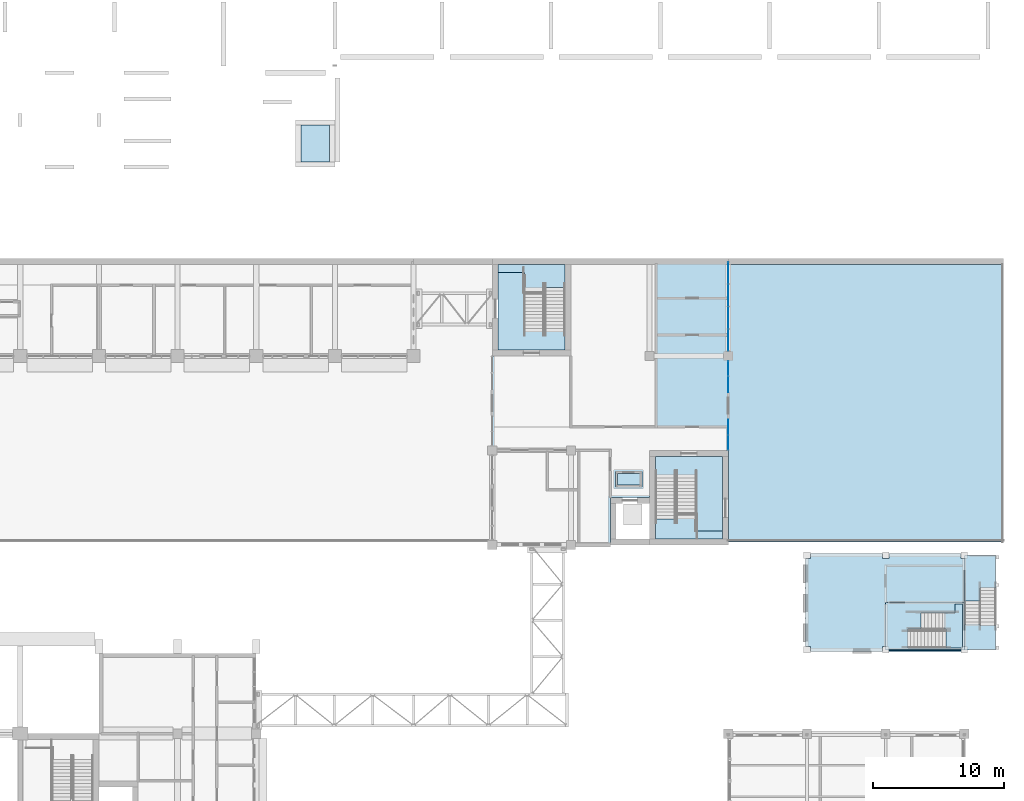
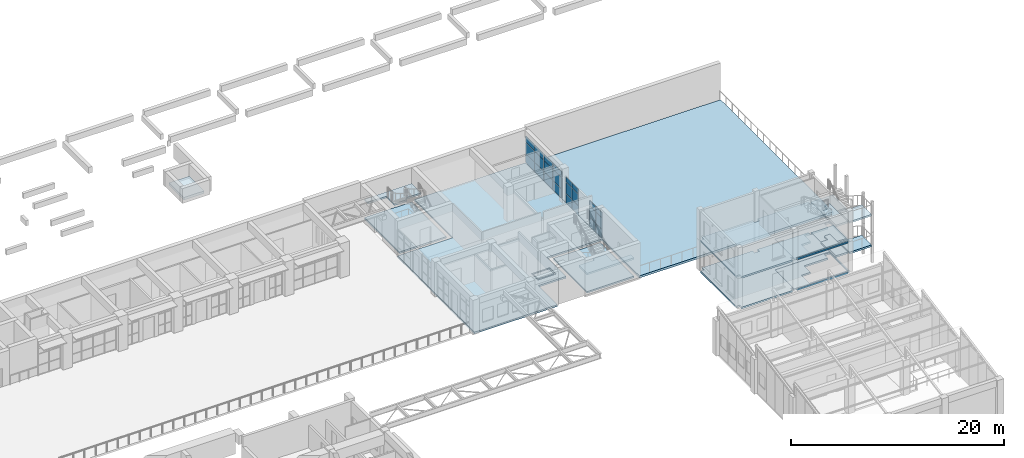
# One storey, part 54 of 103: 24 plates, 20 slabs, 9 elements without a shape of their own.
"""IFC4 building model written with IfcOpenShell, lengths in metres."""

from ifc_helpers import new_model, si_unit, direction, frame, origin, origin_2d, place, context, subcontext, project, spatial, polyline, rectangle, outline, extrude, material, layer, layer_set, type_object, element, aggregate, save


model = new_model("IFC4")

# Units and contexts
model_context = context("Model", 3, precision=1e-05, world=origin(), true_north=direction((0.0, 1.0)))
body_context = subcontext(model_context, "Body", "Model", "MODEL_VIEW")
ifc_project = project(units=[si_unit("LENGTHUNIT", "METRE"), si_unit("AREAUNIT", "SQUARE_METRE"), si_unit("VOLUMEUNIT", "CUBIC_METRE"), si_unit("PLANEANGLEUNIT", "RADIAN"), si_unit("MASSUNIT", "GRAM", prefix="KILO")], contexts=[model_context])

# Site, building, storey
site_placement = place(None, origin())
site = spatial("IfcSite", under=ifc_project, at=site_placement, CompositionType="ELEMENT")
building_placement = place(site_placement, origin())
building = spatial("IfcBuilding", under=site, at=building_placement, Name="Laocheng Heights Fire and Rescue Headquarters", CompositionType="ELEMENT")
storey_placement = place(building_placement, frame((0.0, 0.0, 4.199951171875)))
storey = spatial("IfcBuildingStorey", under=building, at=storey_placement, Name="L01", CompositionType="ELEMENT", Elevation=4.199951171875)

# Curtain wall, plates
ifc_material_1 = material(Name="Dark anodised aluminium unitised curtain wall, low-e double glazing", Category="aluminium")
curtain_wall_type_1 = type_object("IfcCurtainWallType", Name="CW 2350 x 3050 CREW COURT GLAZING", PredefinedType="NOTDEFINED", material=ifc_material_1)
curtain_wall_1_placement = place(storey_placement, origin())
curtain_wall_1 = element("IfcCurtainWall", 1, at=curtain_wall_1_placement, inside=storey, type_object=curtain_wall_type_1, Name="X6-W CREW EAST L01", PredefinedType="NOTDEFINED")
ifc_material_2 = material(Name="Low-e double glazed unit, laminated inner pane")
ifc_layer_1 = layer(ifc_material_2, 0.028076171875)
ifc_layer_set_1 = layer_set([ifc_layer_1], Name="Low-e double glazed unit, laminated inner pane")
plate_type = type_object("IfcPlateType", Name="CW VISION PANEL 28 W", PredefinedType="CURTAIN_PANEL", material=ifc_layer_set_1)
plate_1_placement = place(storey_placement, frame((108.0, 43.802490234375, 0.050048828125), z_axis=(0.0, 0.0, 1.0), x_axis=(0.0, 1.0, 0.0)))
plate_1 = element("IfcPlate", 2, at=plate_1_placement, type_object=plate_type, Name="X6-W panel 1.1", PredefinedType="CURTAIN_PANEL", context=body_context, shape_type="SweptSolid", body=[
    extrude(rectangle(XDim=1.0849609375, YDim=0.028076171875, at=origin_2d()), origin(), (0.0, 0.0, 1.0), 1.02490234375),
])
plate_2_placement = place(storey_placement, frame((108.0, 43.802490234375, 1.125), z_axis=(0.0, 0.0, 1.0), x_axis=(0.0, 1.0, 0.0)))
plate_2 = element("IfcPlate", 3, at=plate_2_placement, type_object=plate_type, Name="X6-W panel 1.2", PredefinedType="CURTAIN_PANEL", context=body_context, shape_type="SweptSolid", body=[
    extrude(rectangle(XDim=1.0849609375, YDim=0.028076171875, at=origin_2d()), origin(), (0.0, 0.0, 1.0), 1.25),
])
plate_3_placement = place(storey_placement, frame((108.0, 43.802490234375, 2.42529296875), z_axis=(0.0, 0.0, 1.0), x_axis=(0.0, 1.0, 0.0)))
plate_3 = element("IfcPlate", 4, at=plate_3_placement, type_object=plate_type, Name="X6-W panel 1.3", PredefinedType="CURTAIN_PANEL", context=body_context, shape_type="SweptSolid", body=[
    extrude(rectangle(XDim=1.0849609375, YDim=0.028076171875, at=origin_2d()), origin(), (0.0, 0.0, 1.0), 0.574951171875),
])
plate_4_placement = place(storey_placement, frame((108.0, 44.9775390625, 0.050048828125), z_axis=(0.0, 0.0, 1.0), x_axis=(0.0, 1.0, 0.0)))
plate_4 = element("IfcPlate", 5, at=plate_4_placement, type_object=plate_type, Name="X6-W panel 2.1", PredefinedType="CURTAIN_PANEL", context=body_context, shape_type="SweptSolid", body=[
    extrude(rectangle(XDim=1.14501953125, YDim=0.028076171875, at=origin_2d()), origin(), (0.0, 0.0, 1.0), 1.02490234375),
])
plate_5_placement = place(storey_placement, frame((108.0, 44.9775390625, 1.125), z_axis=(0.0, 0.0, 1.0), x_axis=(0.0, 1.0, 0.0)))
plate_5 = element("IfcPlate", 6, at=plate_5_placement, type_object=plate_type, Name="X6-W panel 2.2", PredefinedType="CURTAIN_PANEL", context=body_context, shape_type="SweptSolid", body=[
    extrude(rectangle(XDim=1.14501953125, YDim=0.028076171875, at=origin_2d()), origin(), (0.0, 0.0, 1.0), 1.25),
])
plate_6_placement = place(storey_placement, frame((108.0, 44.9775390625, 2.42529296875), z_axis=(0.0, 0.0, 1.0), x_axis=(0.0, 1.0, 0.0)))
plate_6 = element("IfcPlate", 7, at=plate_6_placement, type_object=plate_type, Name="X6-W panel 2.3", PredefinedType="CURTAIN_PANEL", context=body_context, shape_type="SweptSolid", body=[
    extrude(rectangle(XDim=1.14501953125, YDim=0.028076171875, at=origin_2d()), origin(), (0.0, 0.0, 1.0), 0.574951171875),
])
aggregate(curtain_wall_1, [plate_1, plate_2, plate_3, plate_4, plate_5, plate_6])

ifc_material_3 = material(Name="Dark anodised aluminium unitised curtain wall, low-e double glazing", Category="aluminium")
curtain_wall_type_2 = type_object("IfcCurtainWallType", Name="CW 2400 x 3050 CREW COURT GLAZING", PredefinedType="NOTDEFINED", material=ifc_material_3)
curtain_wall_2_placement = place(storey_placement, origin())
curtain_wall_2 = element("IfcCurtainWall", 8, at=curtain_wall_2_placement, inside=storey, type_object=curtain_wall_type_2, Name="X7-W CREW EAST L01", PredefinedType="NOTDEFINED")
plate_7_placement = place(storey_placement, frame((108.0, 48.235107421875, 0.050048828125), z_axis=(0.0, 0.0, 1.0), x_axis=(0.0, 1.0, 0.0)))
plate_7 = element("IfcPlate", 9, at=plate_7_placement, type_object=plate_type, Name="X7-W panel 1.1", PredefinedType="CURTAIN_PANEL", context=body_context, shape_type="SweptSolid", body=[
    extrude(rectangle(XDim=1.169921875, YDim=0.028076171875, at=origin_2d()), origin(), (0.0, 0.0, 1.0), 1.02490234375),
])
plate_8_placement = place(storey_placement, frame((108.0, 48.235107421875, 1.125), z_axis=(0.0, 0.0, 1.0), x_axis=(0.0, 1.0, 0.0)))
plate_8 = element("IfcPlate", 10, at=plate_8_placement, type_object=plate_type, Name="X7-W panel 1.2", PredefinedType="CURTAIN_PANEL", context=body_context, shape_type="SweptSolid", body=[
    extrude(rectangle(XDim=1.169921875, YDim=0.028076171875, at=origin_2d()), origin(), (0.0, 0.0, 1.0), 1.25),
])
plate_9_placement = place(storey_placement, frame((108.0, 48.235107421875, 2.42529296875), z_axis=(0.0, 0.0, 1.0), x_axis=(0.0, 1.0, 0.0)))
plate_9 = element("IfcPlate", 11, at=plate_9_placement, type_object=plate_type, Name="X7-W panel 1.3", PredefinedType="CURTAIN_PANEL", context=body_context, shape_type="SweptSolid", body=[
    extrude(rectangle(XDim=1.169921875, YDim=0.028076171875, at=origin_2d()), origin(), (0.0, 0.0, 1.0), 0.574951171875),
])
plate_10_placement = place(storey_placement, frame((108.0, 49.43505859375, 0.050048828125), z_axis=(0.0, 0.0, 1.0), x_axis=(0.0, 1.0, 0.0)))
plate_10 = element("IfcPlate", 12, at=plate_10_placement, type_object=plate_type, Name="X7-W panel 2.1", PredefinedType="CURTAIN_PANEL", context=body_context, shape_type="SweptSolid", body=[
    extrude(rectangle(XDim=1.110107421875, YDim=0.028076171875, at=origin_2d()), origin(), (0.0, 0.0, 1.0), 1.02490234375),
])
plate_11_placement = place(storey_placement, frame((108.0, 49.43505859375, 1.125), z_axis=(0.0, 0.0, 1.0), x_axis=(0.0, 1.0, 0.0)))
plate_11 = element("IfcPlate", 13, at=plate_11_placement, type_object=plate_type, Name="X7-W panel 2.2", PredefinedType="CURTAIN_PANEL", context=body_context, shape_type="SweptSolid", body=[
    extrude(rectangle(XDim=1.110107421875, YDim=0.028076171875, at=origin_2d()), origin(), (0.0, 0.0, 1.0), 1.25),
])
plate_12_placement = place(storey_placement, frame((108.0, 49.43505859375, 2.42529296875), z_axis=(0.0, 0.0, 1.0), x_axis=(0.0, 1.0, 0.0)))
plate_12 = element("IfcPlate", 14, at=plate_12_placement, type_object=plate_type, Name="X7-W panel 2.3", PredefinedType="CURTAIN_PANEL", context=body_context, shape_type="SweptSolid", body=[
    extrude(rectangle(XDim=1.110107421875, YDim=0.028076171875, at=origin_2d()), origin(), (0.0, 0.0, 1.0), 0.574951171875),
])
aggregate(curtain_wall_2, [plate_7, plate_8, plate_9, plate_10, plate_11, plate_12])

ifc_material_4 = material(Name="Dark anodised aluminium unitised curtain wall, low-e double glazing", Category="aluminium")
curtain_wall_type_3 = type_object("IfcCurtainWallType", Name="CW 6850 x 3150 CREW COURT GLAZING", PredefinedType="NOTDEFINED", material=ifc_material_4)
curtain_wall_3_placement = place(storey_placement, origin())
curtain_wall_3 = element("IfcCurtainWall", 15, at=curtain_wall_3_placement, inside=storey, type_object=curtain_wall_type_3, Name="X8-W CREW EAST L01", PredefinedType="NOTDEFINED")
plate_13_placement = place(storey_placement, frame((108.0, 51.621337890625, 0.050048828125), z_axis=(0.0, 0.0, 1.0), x_axis=(0.0, 1.0, 0.0)))
plate_13 = element("IfcPlate", 16, at=plate_13_placement, type_object=plate_type, Name="X8-W panel 1.1", PredefinedType="CURTAIN_PANEL", context=body_context, shape_type="SweptSolid", body=[
    extrude(rectangle(XDim=1.62255859375, YDim=0.028076171875, at=origin_2d()), origin(), (0.0, 0.0, 1.0), 1.02490234375),
])
plate_14_placement = place(storey_placement, frame((108.0, 51.621337890625, 1.125), z_axis=(0.0, 0.0, 1.0), x_axis=(0.0, 1.0, 0.0)))
plate_14 = element("IfcPlate", 17, at=plate_14_placement, type_object=plate_type, Name="X8-W panel 1.2", PredefinedType="CURTAIN_PANEL", context=body_context, shape_type="SweptSolid", body=[
    extrude(rectangle(XDim=1.62255859375, YDim=0.028076171875, at=origin_2d()), origin(), (0.0, 0.0, 1.0), 1.25),
])
plate_15_placement = place(storey_placement, frame((108.0, 51.621337890625, 2.4248046875), z_axis=(0.0, 0.0, 1.0), x_axis=(0.0, 1.0, 0.0)))
plate_15 = element("IfcPlate", 18, at=plate_15_placement, type_object=plate_type, Name="X8-W panel 1.3", PredefinedType="CURTAIN_PANEL", context=body_context, shape_type="SweptSolid", body=[
    extrude(rectangle(XDim=1.62255859375, YDim=0.028076171875, at=origin_2d()), origin(), (0.0, 0.0, 1.0), 0.675048828125),
])
plate_16_placement = place(storey_placement, frame((108.0, 53.31884765625, 0.050048828125), z_axis=(0.0, 0.0, 1.0), x_axis=(0.0, 1.0, 0.0)))
plate_16 = element("IfcPlate", 19, at=plate_16_placement, type_object=plate_type, Name="X8-W panel 2.1", PredefinedType="CURTAIN_PANEL", context=body_context, shape_type="SweptSolid", body=[
    extrude(rectangle(XDim=1.652587890625, YDim=0.028076171875, at=origin_2d()), origin(), (0.0, 0.0, 1.0), 1.02490234375),
])
plate_17_placement = place(storey_placement, frame((108.0, 53.31884765625, 1.125), z_axis=(0.0, 0.0, 1.0), x_axis=(0.0, 1.0, 0.0)))
plate_17 = element("IfcPlate", 20, at=plate_17_placement, type_object=plate_type, Name="X8-W panel 2.2", PredefinedType="CURTAIN_PANEL", context=body_context, shape_type="SweptSolid", body=[
    extrude(rectangle(XDim=1.652587890625, YDim=0.028076171875, at=origin_2d()), origin(), (0.0, 0.0, 1.0), 1.25),
])
plate_18_placement = place(storey_placement, frame((108.0, 53.31884765625, 2.4248046875), z_axis=(0.0, 0.0, 1.0), x_axis=(0.0, 1.0, 0.0)))
plate_18 = element("IfcPlate", 21, at=plate_18_placement, type_object=plate_type, Name="X8-W panel 2.3", PredefinedType="CURTAIN_PANEL", context=body_context, shape_type="SweptSolid", body=[
    extrude(rectangle(XDim=1.652587890625, YDim=0.028076171875, at=origin_2d()), origin(), (0.0, 0.0, 1.0), 0.675048828125),
])
plate_19_placement = place(storey_placement, frame((108.0, 55.03125, 0.050048828125), z_axis=(0.0, 0.0, 1.0), x_axis=(0.0, 1.0, 0.0)))
plate_19 = element("IfcPlate", 22, at=plate_19_placement, type_object=plate_type, Name="X8-W panel 3.1", PredefinedType="CURTAIN_PANEL", context=body_context, shape_type="SweptSolid", body=[
    extrude(rectangle(XDim=1.652587890625, YDim=0.028076171875, at=origin_2d()), origin(), (0.0, 0.0, 1.0), 1.02490234375),
])
plate_20_placement = place(storey_placement, frame((108.0, 55.03125, 1.125), z_axis=(0.0, 0.0, 1.0), x_axis=(0.0, 1.0, 0.0)))
plate_20 = element("IfcPlate", 23, at=plate_20_placement, type_object=plate_type, Name="X8-W panel 3.2", PredefinedType="CURTAIN_PANEL", context=body_context, shape_type="SweptSolid", body=[
    extrude(rectangle(XDim=1.652587890625, YDim=0.028076171875, at=origin_2d()), origin(), (0.0, 0.0, 1.0), 1.25),
])
plate_21_placement = place(storey_placement, frame((108.0, 55.03125, 2.4248046875), z_axis=(0.0, 0.0, 1.0), x_axis=(0.0, 1.0, 0.0)))
plate_21 = element("IfcPlate", 24, at=plate_21_placement, type_object=plate_type, Name="X8-W panel 3.3", PredefinedType="CURTAIN_PANEL", context=body_context, shape_type="SweptSolid", body=[
    extrude(rectangle(XDim=1.652587890625, YDim=0.028076171875, at=origin_2d()), origin(), (0.0, 0.0, 1.0), 0.675048828125),
])
plate_22_placement = place(storey_placement, frame((108.0, 56.728759765625, 0.050048828125), z_axis=(0.0, 0.0, 1.0), x_axis=(0.0, 1.0, 0.0)))
plate_22 = element("IfcPlate", 25, at=plate_22_placement, type_object=plate_type, Name="X8-W panel 4.1", PredefinedType="CURTAIN_PANEL", context=body_context, shape_type="SweptSolid", body=[
    extrude(rectangle(XDim=1.62255859375, YDim=0.028076171875, at=origin_2d()), origin(), (0.0, 0.0, 1.0), 1.02490234375),
])
plate_23_placement = place(storey_placement, frame((108.0, 56.728759765625, 1.125), z_axis=(0.0, 0.0, 1.0), x_axis=(0.0, 1.0, 0.0)))
plate_23 = element("IfcPlate", 26, at=plate_23_placement, type_object=plate_type, Name="X8-W panel 4.2", PredefinedType="CURTAIN_PANEL", context=body_context, shape_type="SweptSolid", body=[
    extrude(rectangle(XDim=1.62255859375, YDim=0.028076171875, at=origin_2d()), origin(), (0.0, 0.0, 1.0), 1.25),
])
plate_24_placement = place(storey_placement, frame((108.0, 56.728759765625, 2.4248046875), z_axis=(0.0, 0.0, 1.0), x_axis=(0.0, 1.0, 0.0)))
plate_24 = element("IfcPlate", 27, at=plate_24_placement, type_object=plate_type, Name="X8-W panel 4.3", PredefinedType="CURTAIN_PANEL", context=body_context, shape_type="SweptSolid", body=[
    extrude(rectangle(XDim=1.62255859375, YDim=0.028076171875, at=origin_2d()), origin(), (0.0, 0.0, 1.0), 0.675048828125),
])
aggregate(curtain_wall_3, [plate_13, plate_14, plate_15, plate_16, plate_17, plate_18, plate_19, plate_20, plate_21, plate_22, plate_23, plate_24])

# Slabs
ifc_material_5 = material(Name="Concrete C40", Category="concrete")
ifc_layer_2 = layer(ifc_material_5, 0.199951171875)
ifc_layer_set_2 = layer_set([ifc_layer_2], Name="Concrete C40")
slab_type_1 = type_object("IfcSlabType", Name="RC FLOOR SLAB 200 DRILL TOWER", PredefinedType="FLOOR", material=ifc_layer_set_2)
slab_1_placement = place(storey_placement, frame((0.0, 0.0, -0.89990234375)))
element("IfcSlab", 28, at=slab_1_placement, inside=storey, type_object=slab_type_1, Name="Drill tower floor F2", PredefinedType="FLOOR", context=body_context, shape_type="SweptSolid", body=[
    extrude(outline(polyline([(126.0, 31.60009765625), (126.0, 34.949951171875), (125.75, 34.949951171875), (125.75, 35.324951171875), (120.25, 35.324951171875), (120.25, 34.949951171875), (119.75, 34.949951171875), (119.75, 35.324951171875), (114.25, 35.324951171875), (114.25, 34.949951171875), (113.875, 34.949951171875), (113.875, 28.25), (114.25, 28.25), (114.25, 27.875), (119.75, 27.875), (119.75, 28.25), (120.0, 28.25), (120.0, 31.60009765625), (126.0, 31.60009765625)])), origin(), (0.0, 0.0, 1.0), 0.199951171875),
])
slab_2_placement = place(storey_placement, frame((0.0, 0.0, -0.89990234375)))
element("IfcSlab", 29, at=slab_2_placement, inside=storey, type_object=slab_type_1, Name="Drill tower floor F2", PredefinedType="FLOOR", context=body_context, shape_type="SweptSolid", body=[
    extrude(outline(polyline([(120.25, 27.875), (125.75, 27.875), (125.75, 28.0), (120.25, 28.0), (120.25, 27.875)])), origin(), (0.0, 0.0, 1.0), 0.199951171875),
])
slab_3_placement = place(storey_placement, frame((0.0, 0.0, 2.60009765625)))
element("IfcSlab", 30, at=slab_3_placement, inside=storey, type_object=slab_type_1, Name="Drill tower floor F3", PredefinedType="FLOOR", context=body_context, shape_type="SweptSolid", body=[
    extrude(outline(polyline([(126.0, 31.60009765625), (126.0, 34.949951171875), (125.75, 34.949951171875), (125.75, 35.324951171875), (120.25, 35.324951171875), (120.25, 34.949951171875), (119.75, 34.949951171875), (119.75, 35.324951171875), (114.25, 35.324951171875), (114.25, 34.949951171875), (113.875, 34.949951171875), (113.875, 28.25), (114.25, 28.25), (114.25, 27.875), (119.75, 27.875), (119.75, 28.25), (120.0, 28.25), (120.0, 31.60009765625), (126.0, 31.60009765625)])), origin(), (0.0, 0.0, 1.0), 0.199951171875),
])
slab_4_placement = place(storey_placement, frame((0.0, 0.0, 2.60009765625)))
element("IfcSlab", 31, at=slab_4_placement, inside=storey, type_object=slab_type_1, Name="Drill tower floor F3", PredefinedType="FLOOR", context=body_context, shape_type="SweptSolid", body=[
    extrude(outline(polyline([(120.25, 27.875), (125.75, 27.875), (125.75, 28.0), (120.25, 28.0), (120.25, 27.875)])), origin(), (0.0, 0.0, 1.0), 0.199951171875),
])
ifc_material_6 = material(Name="Concrete C35", Category="concrete")
ifc_layer_3 = layer(ifc_material_6, 0.199951171875)
ifc_layer_set_3 = layer_set([ifc_layer_3], Name="Concrete C35")
slab_type_2 = type_object("IfcSlabType", Name="RC GROUND SLAB 200 CREW", PredefinedType="BASESLAB", material=ifc_layer_set_3)
slab_5_placement = place(storey_placement, frame((0.0, 0.0, -0.199951171875)))
element("IfcSlab", 32, at=slab_5_placement, inside=storey, type_object=slab_type_2, Name="Crew floor L01", PredefinedType="BASESLAB", context=body_context, shape_type="SweptSolid", body=[
    extrude(outline(polyline([(108.0, 57.60009765625), (96.0, 57.60009765625), (96.0, 50.39990234375), (90.0, 50.39990234375), (90.0, 36.0), (99.0, 36.0), (99.0, 39.60009765625), (102.0, 39.60009765625), (102.0, 43.199951171875), (108.0, 43.199951171875), (108.0, 57.60009765625)]), holes=[polyline([(101.39990234375, 40.39990234375), (99.39990234375, 40.39990234375), (99.39990234375, 41.60009765625), (101.39990234375, 41.60009765625), (101.39990234375, 40.39990234375)])]), origin(), (0.0, 0.0, 1.0), 0.199951171875),
])
ifc_material_7 = material(Name="Concrete C40", Category="concrete")
ifc_layer_4 = layer(ifc_material_7, 0.280029296875)
ifc_layer_set_4 = layer_set([ifc_layer_4], Name="Concrete C40")
slab_type_3 = type_object("IfcSlabType", Name="RC LIFT PIT SLAB 280", PredefinedType="BASESLAB", material=ifc_layer_set_4)
slab_6_placement = place(storey_placement, frame((0.0, 0.0, 2.52001953125)))
element("IfcSlab", 33, at=slab_6_placement, inside=storey, type_object=slab_type_3, Name="Lift pit slab H-L2", PredefinedType="BASESLAB", context=body_context, shape_type="SweptSolid", body=[
    extrude(outline(polyline([(75.39990234375, 68.0), (75.39990234375, 65.199951171875), (77.60009765625, 65.199951171875), (77.60009765625, 68.0), (75.39990234375, 68.0)])), origin(), (0.0, 0.0, 1.0), 0.280029296875),
])
ifc_material_8 = material(Name="Concrete C35", Category="concrete")
ifc_layer_5 = layer(ifc_material_8, 0.25)
ifc_layer_set_5 = layer_set([ifc_layer_5], Name="Concrete C35")
slab_type_4 = type_object("IfcSlabType", Name="RC PAVING SLAB ON FILL 250 YARD PAVING", PredefinedType="BASESLAB", material=ifc_layer_set_5)
slab_7_placement = place(storey_placement, frame((0.0, 0.0, -0.25)))
element("IfcSlab", 34, at=slab_7_placement, inside=storey, type_object=slab_type_4, Name="Site slab SL7 Yard Paving", PredefinedType="BASESLAB", context=body_context, shape_type="SweptSolid", body=[
    extrude(outline(polyline([(129.0, 36.22509765625), (129.0, 57.375), (108.0, 57.375), (108.0, 36.22509765625), (129.0, 36.22509765625)])), origin(), (0.0, 0.0, 1.0), 0.25),
])
ifc_material_9 = material(Name="Concrete C30", Category="concrete")
ifc_layer_6 = layer(ifc_material_9, 0.179931640625)
ifc_layer_set_6 = layer_set([ifc_layer_6], Name="Concrete C30")
slab_type_5 = type_object("IfcSlabType", Name="RISER FLOOR SLAB 180", PredefinedType="FLOOR", material=ifc_layer_set_6)
slab_8_placement = place(storey_placement, frame((0.0, 0.0, -0.179931640625)))
element("IfcSlab", 35, at=slab_8_placement, inside=storey, type_object=slab_type_5, Name="Riser floor slab RC1", PredefinedType="FLOOR", context=body_context, shape_type="SweptSolid", body=[
    extrude(outline(polyline([(99.550048828125, 41.449951171875), (99.550048828125, 40.550048828125), (101.25, 40.550048828125), (101.25, 41.449951171875), (99.550048828125, 41.449951171875)])), origin(), (0.0, 0.0, 1.0), 0.179931640625),
])

# Stair, slab
ifc_material_10 = material(Name="Concrete C40", Category="concrete")
stair_type_1 = type_object("IfcStairType", Name="RC STAIR 1400 TWO FLIGHTS 28 RISERS OF 150 GOING 260", PredefinedType="HALF_TURN_STAIR", material=ifc_material_10)
stair_1_placement = place(storey_placement, origin())
stair_1 = element("IfcStair", 36, at=stair_1_placement, inside=storey, type_object=stair_type_1, Name="Stair C1 (L01 to L02)", PredefinedType="HALF_TURN_STAIR")
ifc_material_11 = material(Name="Concrete C40", Category="concrete")
ifc_layer_7 = layer(ifc_material_11, 0.179931640625)
ifc_layer_set_7 = layer_set([ifc_layer_7], Name="Concrete C40")
slab_type_6 = type_object("IfcSlabType", Name="STAIR FLOOR LANDING 180", PredefinedType="LANDING", material=ifc_layer_set_7)
slab_9_placement = place(storey_placement, frame((0.0, 0.0, -0.179931640625)))
slab_9 = element("IfcSlab", 37, at=slab_9_placement, type_object=slab_type_6, Name="Stair C1 floor landing L01", PredefinedType="LANDING", context=body_context, shape_type="SweptSolid", body=[
    extrude(outline(polyline([(107.550048828125, 42.75), (107.550048828125, 36.449951171875), (102.449951171875, 36.449951171875), (102.449951171875, 42.75), (107.550048828125, 42.75)])), origin(), (0.0, 0.0, 1.0), 0.179931640625),
])

stair_2_placement = place(storey_placement, origin())
stair_2 = element("IfcStair", 38, at=stair_2_placement, inside=storey, type_object=stair_type_1, Name="Stair C2 (L01 to L02)", PredefinedType="HALF_TURN_STAIR")
slab_10_placement = place(storey_placement, frame((0.0, 0.0, -0.179931640625)))
slab_10 = element("IfcSlab", 39, at=slab_10_placement, type_object=slab_type_6, Name="Stair C2 floor landing L01", PredefinedType="LANDING", context=body_context, shape_type="SweptSolid", body=[
    extrude(outline(polyline([(95.550048828125, 50.85009765625), (90.449951171875, 50.85009765625), (90.449951171875, 57.375), (95.550048828125, 57.375), (95.550048828125, 50.85009765625)])), origin(), (0.0, 0.0, 1.0), 0.179931640625),
])

ifc_material_12 = material(Name="Concrete C40", Category="concrete")
stair_type_2 = type_object("IfcStairType", Name="RC STAIR 1200 TWO FLIGHTS 20 RISERS OF 175 GOING 270", PredefinedType="HALF_TURN_STAIR", material=ifc_material_12)
stair_3_placement = place(storey_placement, origin())
stair_3 = element("IfcStair", 40, at=stair_3_placement, inside=storey, type_object=stair_type_2, Name="Stair T1 (F2 to F3)", PredefinedType="HALF_TURN_STAIR")
ifc_material_13 = material(Name="Concrete C40", Category="concrete")
ifc_layer_8 = layer(ifc_material_13, 0.199951171875)
ifc_layer_set_8 = layer_set([ifc_layer_8], Name="Concrete C40")
slab_type_7 = type_object("IfcSlabType", Name="STAIR FLOOR LANDING 200", PredefinedType="LANDING", material=ifc_layer_set_8)
slab_11_placement = place(storey_placement, frame((0.0, 0.0, -0.89990234375)))
slab_11 = element("IfcSlab", 41, at=slab_11_placement, type_object=slab_type_7, Name="Stair T1 floor landing F2", PredefinedType="LANDING", context=body_context, shape_type="SweptSolid", body=[
    extrude(outline(polyline([(120.0, 31.60009765625), (126.0, 31.60009765625), (126.0, 28.0), (120.0, 28.0), (120.0, 31.60009765625)]), holes=[polyline([(121.717041015625, 29.60009765625), (121.717041015625, 28.125), (124.592041015625, 28.125), (125.875, 28.125), (125.875, 29.60009765625), (125.875, 30.800048828125), (125.875, 31.47509765625), (125.27490234375, 31.47509765625), (125.27490234375, 30.800048828125), (124.503173828125, 30.800048828125), (122.7080078125, 30.800048828125), (122.7080078125, 29.60009765625), (121.717041015625, 29.60009765625)])]), origin(), (0.0, 0.0, 1.0), 0.199951171875),
])

stair_4_placement = place(storey_placement, origin())
stair_4 = element("IfcStair", 42, at=stair_4_placement, inside=storey, type_object=stair_type_2, Name="Stair T1 (F3 to F4)", PredefinedType="HALF_TURN_STAIR")
slab_12_placement = place(storey_placement, frame((0.0, 0.0, 2.60009765625)))
slab_12 = element("IfcSlab", 43, at=slab_12_placement, type_object=slab_type_7, Name="Stair T1 floor landing F3", PredefinedType="LANDING", context=body_context, shape_type="SweptSolid", body=[
    extrude(outline(polyline([(120.0, 31.60009765625), (126.0, 31.60009765625), (126.0, 28.0), (120.0, 28.0), (120.0, 31.60009765625)]), holes=[polyline([(121.717041015625, 29.60009765625), (121.717041015625, 28.125), (124.592041015625, 28.125), (125.875, 28.125), (125.875, 29.60009765625), (125.875, 30.800048828125), (125.875, 31.47509765625), (125.27490234375, 31.47509765625), (125.27490234375, 30.800048828125), (124.503173828125, 30.800048828125), (122.7080078125, 30.800048828125), (122.7080078125, 29.60009765625), (121.717041015625, 29.60009765625)])]), origin(), (0.0, 0.0, 1.0), 0.199951171875),
])

stair_5_placement = place(storey_placement, origin())
stair_5 = element("IfcStair", 44, at=stair_5_placement, inside=storey, type_object=stair_type_2, Name="Stair T2 (F2 to F3)", PredefinedType="HALF_TURN_STAIR")
slab_13_placement = place(storey_placement, frame((0.0, 0.0, -0.89990234375)))
slab_13 = element("IfcSlab", 45, at=slab_13_placement, type_object=slab_type_7, Name="Stair T2 floor landing F2", PredefinedType="LANDING", context=body_context, shape_type="SweptSolid", body=[
    extrude(outline(polyline([(126.0, 31.717041015625), (127.199951171875, 31.717041015625), (127.199951171875, 32.7080078125), (128.39990234375, 32.7080078125), (128.39990234375, 32.800048828125), (128.39990234375, 35.199951171875), (126.0, 35.199951171875), (126.0, 32.800048828125), (126.0, 32.800048828125), (126.0, 31.717041015625)])), origin(), (0.0, 0.0, 1.0), 0.199951171875),
])

stair_6_placement = place(storey_placement, origin())
stair_6 = element("IfcStair", 46, at=stair_6_placement, inside=storey, type_object=stair_type_2, Name="Stair T2 (F3 to F4)", PredefinedType="HALF_TURN_STAIR")
slab_14_placement = place(storey_placement, frame((0.0, 0.0, 2.60009765625)))
slab_14 = element("IfcSlab", 47, at=slab_14_placement, type_object=slab_type_7, Name="Stair T2 floor landing F3", PredefinedType="LANDING", context=body_context, shape_type="SweptSolid", body=[
    extrude(outline(polyline([(126.0, 31.717041015625), (127.199951171875, 31.717041015625), (127.199951171875, 32.7080078125), (128.39990234375, 32.7080078125), (128.39990234375, 32.800048828125), (128.39990234375, 35.199951171875), (126.0, 35.199951171875), (126.0, 32.800048828125), (126.0, 32.800048828125), (126.0, 31.717041015625)])), origin(), (0.0, 0.0, 1.0), 0.199951171875),
])

# Slab
ifc_material_14 = material(Name="Concrete C40", Category="concrete")
ifc_layer_9 = layer(ifc_material_14, 0.201904296875)
ifc_layer_set_9 = layer_set([ifc_layer_9], Name="Concrete C40")
slab_type_8 = type_object("IfcSlabType", Name="STAIR HALF LANDING 202", PredefinedType="LANDING", material=ifc_layer_set_9)
slab_15_placement = place(storey_placement, frame((0.0, 0.0, 1.900146484375)))
slab_15 = element("IfcSlab", 48, at=slab_15_placement, type_object=slab_type_8, Name="C1-L01 landing 1", PredefinedType="LANDING", context=body_context, shape_type="SweptSolid", body=[
    extrude(outline(polyline([(107.550048828125, 37.050048828125), (107.550048828125, 36.449951171875), (105.52490234375, 36.449951171875), (104.125, 36.449951171875), (102.449951171875, 36.449951171875), (102.449951171875, 37.972900390625), (104.125, 37.972900390625), (104.125, 38.270263671875), (105.52490234375, 38.270263671875), (105.52490234375, 37.050048828125), (107.550048828125, 37.050048828125)])), origin(), (0.0, 0.0, 1.0), 0.201904296875),
])

aggregate(stair_1, [slab_15, slab_9])

slab_16_placement = place(storey_placement, frame((0.0, 0.0, 1.900146484375)))
slab_16 = element("IfcSlab", 49, at=slab_16_placement, type_object=slab_type_8, Name="C2-L01 landing 1", PredefinedType="LANDING", context=body_context, shape_type="SweptSolid", body=[
    extrude(outline(polyline([(90.449951171875, 56.77490234375), (90.449951171875, 57.375), (92.47509765625, 57.375), (93.875, 57.375), (95.550048828125, 57.375), (95.550048828125, 55.626953125), (93.875, 55.626953125), (93.875, 55.329833984375), (92.47509765625, 55.329833984375), (92.47509765625, 56.77490234375), (90.449951171875, 56.77490234375)])), origin(), (0.0, 0.0, 1.0), 0.201904296875),
])

aggregate(stair_2, [slab_16, slab_10])

slab_17_placement = place(storey_placement, frame((0.0, 0.0, 1.199951171875)))
slab_17 = element("IfcSlab", 50, at=slab_17_placement, type_object=slab_type_8, Name="T1-F2 landing 1", PredefinedType="LANDING", context=body_context, shape_type="SweptSolid", body=[
    extrude(outline(polyline([(125.27490234375, 31.47509765625), (125.875, 31.47509765625), (125.875, 30.800048828125), (125.875, 29.60009765625), (125.875, 28.125), (124.592041015625, 28.125), (124.592041015625, 29.60009765625), (124.503173828125, 29.60009765625), (124.503173828125, 30.800048828125), (125.27490234375, 30.800048828125), (125.27490234375, 31.47509765625)])), origin(), (0.0, 0.0, 1.0), 0.2021484375),
])

aggregate(stair_3, [slab_17, slab_11])

slab_18_placement = place(storey_placement, frame((0.0, 0.0, 4.699951171875)))
slab_18 = element("IfcSlab", 51, at=slab_18_placement, type_object=slab_type_8, Name="T1-F3 landing 1", PredefinedType="LANDING", context=body_context, shape_type="SweptSolid", body=[
    extrude(outline(polyline([(125.27490234375, 31.47509765625), (125.875, 31.47509765625), (125.875, 30.800048828125), (125.875, 29.60009765625), (125.875, 28.125), (124.592041015625, 28.125), (124.592041015625, 29.60009765625), (124.503173828125, 29.60009765625), (124.503173828125, 30.800048828125), (125.27490234375, 30.800048828125), (125.27490234375, 31.47509765625)])), origin(), (0.0, 0.0, 1.0), 0.2021484375),
])

aggregate(stair_4, [slab_18, slab_12])

slab_19_placement = place(storey_placement, frame((0.0, 0.0, 1.199951171875)))
slab_19 = element("IfcSlab", 52, at=slab_19_placement, type_object=slab_type_8, Name="T2-F2 landing 1", PredefinedType="LANDING", context=body_context, shape_type="SweptSolid", body=[
    extrude(outline(polyline([(128.39990234375, 28.0), (128.39990234375, 29.8330078125), (127.199951171875, 29.8330078125), (127.199951171875, 29.921875), (126.0, 29.921875), (126.0, 28.0), (127.199951171875, 28.0), (128.39990234375, 28.0)])), origin(), (0.0, 0.0, 1.0), 0.2021484375),
])

aggregate(stair_5, [slab_19, slab_13])

slab_20_placement = place(storey_placement, frame((0.0, 0.0, 4.699951171875)))
slab_20 = element("IfcSlab", 53, at=slab_20_placement, type_object=slab_type_8, Name="T2-F3 landing 1", PredefinedType="LANDING", context=body_context, shape_type="SweptSolid", body=[
    extrude(outline(polyline([(128.39990234375, 28.0), (128.39990234375, 29.8330078125), (127.199951171875, 29.8330078125), (127.199951171875, 29.921875), (126.0, 29.921875), (126.0, 28.0), (127.199951171875, 28.0), (128.39990234375, 28.0)])), origin(), (0.0, 0.0, 1.0), 0.2021484375),
])

aggregate(stair_6, [slab_20, slab_14])

save(model, "model.ifc")
